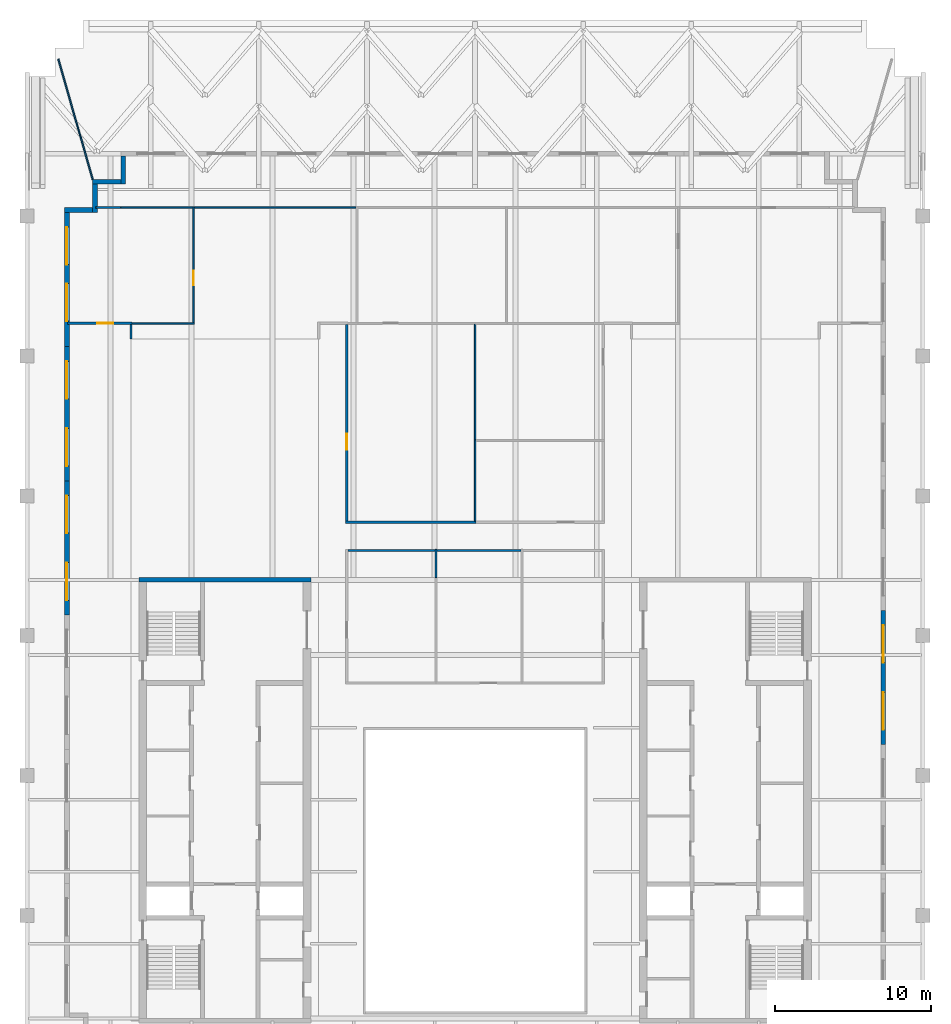
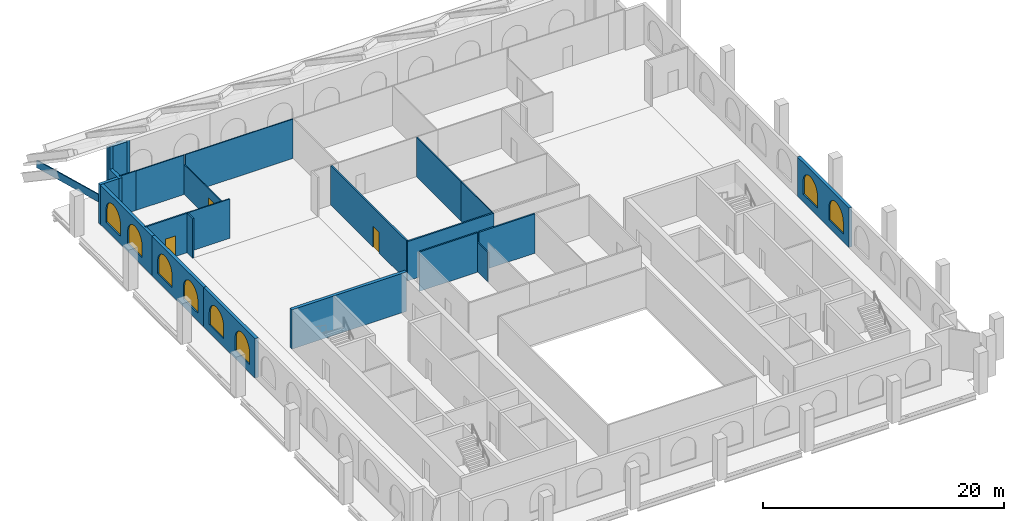
# One storey, part 6 of 10: 24 walls, 8 windows, 3 doors, 11 openings.
"""IFC4 building model written with IfcOpenShell, lengths in metres."""

from ifc_helpers import new_model, si_unit, direction, frame, frame_2d, origin, place, context, subcontext, project, spatial, polyline, rectangle, outline, extrude, material, layer, layer_set, type_object, element, fill, save


model = new_model("IFC4")

# Units and contexts
model_context = context("Model", 3, precision=1e-05, world=origin(), true_north=direction((0.0, 1.0)))
body_context = subcontext(model_context, "Body", "Model", "MODEL_VIEW")
ifc_project = project(units=[si_unit("LENGTHUNIT", "METRE"), si_unit("AREAUNIT", "SQUARE_METRE"), si_unit("VOLUMEUNIT", "CUBIC_METRE"), si_unit("PLANEANGLEUNIT", "RADIAN"), si_unit("MASSUNIT", "GRAM", prefix="KILO")], contexts=[model_context])

# Site, building, storey
site_placement = place(None, origin())
site = spatial("IfcSite", under=ifc_project, at=site_placement, CompositionType="ELEMENT")
building_placement = place(site_placement, origin())
building = spatial("IfcBuilding", under=site, at=building_placement, Name="Ogive Exchange Tower", CompositionType="ELEMENT")
storey_placement = place(building_placement, frame((0.0, 0.0, 369.0)))
storey = spatial("IfcBuildingStorey", under=building, at=storey_placement, Name="C01", CompositionType="ELEMENT", Elevation=369.0)

# Wall, opening, door
ifc_material_1 = material(Name="Fire partition EI 60 150")
ifc_layer_1 = layer(ifc_material_1, 0.14990234375)
ifc_layer_set_1 = layer_set([ifc_layer_1], Name="Fire partition EI 60 150")
wall_type_1 = type_object("IfcWallType", Name="Fire partition EI 60 150", PredefinedType="PARTITIONING", material=ifc_layer_set_1)
wall_1_placement = place(storey_placement, frame((-26.050048828125, 42.0, 0.0), z_axis=(0.0, 0.0, 1.0), x_axis=(1.0, 0.0, 0.0)))
wall_1 = element("IfcWall", 1, at=wall_1_placement, inside=storey, type_object=wall_type_1, Name="C01-PWL-001", PredefinedType="PARTITIONING", context=body_context, shape_type="SweptSolid", body=[
    extrude(rectangle(XDim=4.125, YDim=0.14990234375, at=frame_2d((2.0625, 0.0))), origin(), (0.0, 0.0, 1.0), 4.0),
])
opening_1_placement = place(wall_1_placement, frame((1.89990234375, 0.0, 0.0)))
opening_1 = element("IfcOpeningElement", 2, at=opening_1_placement, cuts=wall_1, Name="Opening C01-I09", PredefinedType="OPENING", context=body_context, shape_type="SweptSolid", body=[
    extrude(rectangle(XDim=1.0, YDim=2.10009765625, at=frame_2d((0.5, 1.050048828125))), frame((0.0, 0.0849609375, 0.0), z_axis=(0.0, -1.0, 0.0), x_axis=(1.0, 0.0, 0.0)), (0.0, 0.0, 1.0), 0.169921875),
])
ifc_material_2 = material(Name="Fire door FD 30S 1000 x 2100")
door_type_1 = type_object("IfcDoorType", Name="Fire door FD 30S 1000 x 2100", OperationType="NOTDEFINED", PredefinedType="DOOR", material=ifc_material_2)
door_1_placement = place(opening_1_placement, origin())
door_1 = element("IfcDoor", 3, at=door_1_placement, inside=storey, type_object=door_type_1, Name="C01-IDR-009", ObjectType="DT3", OperationType="SINGLE_SWING_RIGHT", OverallHeight=2.10009765625, OverallWidth=1.0, PredefinedType="DOOR", context=body_context, shape_type="SweptSolid", body=[
    extrude(rectangle(XDim=1.0, YDim=2.10009765625, at=frame_2d((0.5, 1.050048828125))), frame((0.0, 0.02490234375, 0.0), z_axis=(0.0, -1.0, 0.0), x_axis=(1.0, 0.0, 0.0)), (0.0, 0.0, 1.0), 0.050048828125),
])
fill(opening_1, door_1)

# Walls
wall_2_placement = place(storey_placement, frame((-22.0, 41.925048828125, 0.0), z_axis=(0.0, 0.0, 1.0), x_axis=(0.0, -1.0, 0.0)))
element("IfcWall", 4, at=wall_2_placement, inside=storey, type_object=wall_type_1, Name="C01-PWL-003", PredefinedType="PARTITIONING", context=body_context, shape_type="SweptSolid", body=[
    extrude(rectangle(XDim=0.93505859375, YDim=0.14990234375, at=frame_2d((0.467529296875, 0.0))), origin(), (0.0, 0.0, 1.0), 4.0),
])
wall_3_placement = place(storey_placement, frame((-8.27490234375, 29.280029296875, 0.0), z_axis=(0.0, 0.0, 1.0), x_axis=(1.0, 0.0, 0.0)))
element("IfcWall", 5, at=wall_3_placement, inside=storey, type_object=wall_type_1, Name="C01-PWL-011", PredefinedType="PARTITIONING", context=body_context, shape_type="SweptSolid", body=[
    extrude(rectangle(XDim=8.324951171875, YDim=0.14990234375, at=frame_2d((4.16259765625, 0.0))), origin(), (0.0, 0.0, 1.0), 4.0),
])

# Wall, opening, door
wall_4_placement = place(storey_placement, frame((-8.199951171875, 41.925048828125, 0.0), z_axis=(0.0, 0.0, 1.0), x_axis=(0.0, -1.0, 0.0)))
wall_4 = element("IfcWall", 6, at=wall_4_placement, inside=storey, type_object=wall_type_1, Name="C01-PWL-012", PredefinedType="PARTITIONING", context=body_context, shape_type="SweptSolid", body=[
    extrude(rectangle(XDim=12.570068359375, YDim=0.14990234375, at=frame_2d((6.28515625, 0.0))), origin(), (0.0, 0.0, 1.0), 4.0),
])
opening_2_placement = place(wall_4_placement, frame((6.9951171875, 0.0, 0.0)))
opening_2 = element("IfcOpeningElement", 7, at=opening_2_placement, cuts=wall_4, Name="Opening C01-I02", PredefinedType="OPENING", context=body_context, shape_type="SweptSolid", body=[
    extrude(rectangle(XDim=1.0, YDim=2.10009765625, at=frame_2d((0.5, 1.050048828125))), frame((0.0, 0.0849609375, 0.0), z_axis=(0.0, -1.0, 0.0), x_axis=(1.0, 0.0, 0.0)), (0.0, 0.0, 1.0), 0.169921875),
])
door_2_placement = place(opening_2_placement, origin())
door_2 = element("IfcDoor", 8, at=door_2_placement, inside=storey, type_object=door_type_1, Name="C01-IDR-002", ObjectType="DT3", OperationType="SINGLE_SWING_RIGHT", OverallHeight=2.10009765625, OverallWidth=1.0, PredefinedType="DOOR", context=body_context, shape_type="SweptSolid", body=[
    extrude(rectangle(XDim=1.0, YDim=2.10009765625, at=frame_2d((0.5, 1.050048828125))), frame((0.0, 0.02490234375, 0.0), z_axis=(0.0, -1.0, 0.0), x_axis=(1.0, 0.0, 0.0)), (0.0, 0.0, 1.0), 0.050048828125),
])
fill(opening_2, door_2)

# Walls
wall_5_placement = place(storey_placement, frame((-2.550048828125, 27.47998046875, 0.0), z_axis=(0.0, 0.0, 1.0), x_axis=(-1.0, 0.0, 0.0)))
element("IfcWall", 9, at=wall_5_placement, inside=storey, type_object=wall_type_1, Name="C01-PWL-019", PredefinedType="PARTITIONING", context=body_context, shape_type="SweptSolid", body=[
    extrude(rectangle(XDim=5.574951171875, YDim=0.14990234375, at=frame_2d((2.78759765625, 0.0))), origin(), (0.0, 0.0, 1.0), 4.0),
])
wall_6_placement = place(storey_placement, frame((2.949951171875, 27.47998046875, 0.0), z_axis=(0.0, 0.0, 1.0), x_axis=(-1.0, 0.0, 0.0)))
element("IfcWall", 10, at=wall_6_placement, inside=storey, type_object=wall_type_1, Name="C01-PWL-030", PredefinedType="PARTITIONING", context=body_context, shape_type="SweptSolid", body=[
    extrude(rectangle(XDim=5.39990234375, YDim=0.14990234375, at=frame_2d((2.699951171875, 0.0))), origin(), (0.0, 0.0, 1.0), 4.0),
])
ifc_material_3 = material(Name="Laminated safety glass in steel frame", Category="steel")
ifc_layer_2 = layer(ifc_material_3, 0.10009765625)
ifc_layer_set_2 = layer_set([ifc_layer_2], Name="Loggia end screen 100")
wall_type_2 = type_object("IfcWallType", Name="Loggia end screen 100", PredefinedType="STANDARD", material=ifc_layer_set_2)
wall_7_placement = place(storey_placement, frame((-24.449951171875, 51.199951171875, -0.050048828125), z_axis=(0.0, 0.0, 1.0), x_axis=(-0.274713075766, 0.961526248213, 0.0)))
element("IfcWall", 11, at=wall_7_placement, inside=storey, type_object=wall_type_2, Name="Loggia end screen C3", PredefinedType="STANDARD", context=body_context, shape_type="SweptSolid", body=[
    extrude(rectangle(XDim=8.009033203125, YDim=0.10009765625, at=frame_2d((4.00439453125, 0.0))), origin(), (0.0, 0.0, 1.0), 0.768310546875),
])
ifc_material_4 = material(Name="Partition 100 gypsum")
ifc_layer_3 = layer(ifc_material_4, 0.10009765625)
ifc_layer_set_3 = layer_set([ifc_layer_3], Name="Partition 100 gypsum")
wall_type_3 = type_object("IfcWallType", Name="Partition 100 gypsum", PredefinedType="PARTITIONING", material=ifc_layer_set_3)
wall_8_placement = place(storey_placement, frame((-22.659912109375, 49.409912109375, 0.0), z_axis=(0.0, 0.0, 1.0), x_axis=(-1.0, 0.0, 0.0)))
element("IfcWall", 12, at=wall_8_placement, inside=storey, type_object=wall_type_3, Name="C01-PWL-002", PredefinedType="PARTITIONING", context=body_context, shape_type="SweptSolid", body=[
    extrude(rectangle(XDim=1.590087890625, YDim=0.10009765625, at=frame_2d((0.794921875, 0.0))), origin(), (0.0, 0.0, 1.0), 4.0),
])
wall_9_placement = place(storey_placement, frame((-21.925048828125, 42.0, 0.0), z_axis=(0.0, 0.0, 1.0), x_axis=(1.0, 0.0, 0.0)))
element("IfcWall", 13, at=wall_9_placement, inside=storey, type_object=wall_type_3, Name="C01-PWL-004", PredefinedType="PARTITIONING", context=body_context, shape_type="SweptSolid", body=[
    extrude(rectangle(XDim=3.97509765625, YDim=0.10009765625, at=frame_2d((1.987548828125, 0.0))), origin(), (0.0, 0.0, 1.0), 4.0),
])

# Wall, opening, door
wall_10_placement = place(storey_placement, frame((-18.0, 42.050048828125, 0.0), z_axis=(0.0, 0.0, 1.0), x_axis=(0.0, 1.0, 0.0)))
wall_10 = element("IfcWall", 14, at=wall_10_placement, inside=storey, type_object=wall_type_3, Name="C01-PWL-005", PredefinedType="PARTITIONING", context=body_context, shape_type="SweptSolid", body=[
    extrude(rectangle(XDim=7.39990234375, YDim=0.10009765625, at=frame_2d((3.699951171875, 0.0))), origin(), (0.0, 0.0, 1.0), 3.02001953125),
])
opening_3_placement = place(wall_10_placement, frame((2.39990234375, 0.0, 0.0)))
opening_3 = element("IfcOpeningElement", 15, at=opening_3_placement, cuts=wall_10, Name="Opening C01-I08", PredefinedType="OPENING", context=body_context, shape_type="SweptSolid", body=[
    extrude(rectangle(XDim=0.89990234375, YDim=2.10009765625, at=frame_2d((0.449951171875, 1.050048828125))), frame((0.0, 0.06005859375, 0.0), z_axis=(0.0, -1.0, 0.0), x_axis=(1.0, 0.0, 0.0)), (0.0, 0.0, 1.0), 0.1201171875),
])
ifc_material_5 = material(Name="Door 900 x 2100")
door_type_2 = type_object("IfcDoorType", Name="Door 900 x 2100", OperationType="NOTDEFINED", PredefinedType="DOOR", material=ifc_material_5)
door_3_placement = place(opening_3_placement, origin())
door_3 = element("IfcDoor", 16, at=door_3_placement, inside=storey, type_object=door_type_2, Name="C01-IDR-008", ObjectType="DT1", OperationType="SINGLE_SWING_RIGHT", OverallHeight=2.10009765625, OverallWidth=0.89990234375, PredefinedType="DOOR", context=body_context, shape_type="SweptSolid", body=[
    extrude(rectangle(XDim=0.89990234375, YDim=2.10009765625, at=frame_2d((0.449951171875, 1.050048828125))), frame((0.0, 0.02490234375, 0.0), z_axis=(0.0, -1.0, 0.0), x_axis=(1.0, 0.0, 0.0)), (0.0, 0.0, 1.0), 0.050048828125),
])
fill(opening_3, door_3)

# Walls
wall_11_placement = place(storey_placement, frame((-18.050048828125, 49.39990234375, 0.0), z_axis=(0.0, 0.0, 1.0), x_axis=(-1.0, 0.0, 0.0)))
element("IfcWall", 17, at=wall_11_placement, inside=storey, type_object=wall_type_3, Name="C01-PWL-006", PredefinedType="PARTITIONING", context=body_context, shape_type="SweptSolid", body=[
    extrude(rectangle(XDim=4.60986328125, YDim=0.10009765625, at=frame_2d((2.304931640625, 0.0))), origin(), (0.0, 0.0, 1.0), 4.0),
])
wall_12_placement = place(storey_placement, frame((-7.60009765625, 49.39990234375, 0.0), z_axis=(0.0, 0.0, 1.0), x_axis=(-1.0, 0.0, 0.0)))
element("IfcWall", 18, at=wall_12_placement, inside=storey, type_object=wall_type_3, Name="C01-PWL-016", PredefinedType="PARTITIONING", context=body_context, shape_type="SweptSolid", body=[
    extrude(rectangle(XDim=10.349853515625, YDim=0.10009765625, at=frame_2d((5.1748046875, 0.0))), origin(), (0.0, 0.0, 1.0), 4.0),
])
wall_13_placement = place(storey_placement, frame((0.0, 34.550048828125, 0.0), z_axis=(0.0, 0.0, 1.0), x_axis=(0.0, -1.0, 0.0)))
element("IfcWall", 19, at=wall_13_placement, inside=storey, type_object=wall_type_3, Name="C01-PWL-021", PredefinedType="PARTITIONING", context=body_context, shape_type="SweptSolid", body=[
    extrude(rectangle(XDim=5.195068359375, YDim=0.10009765625, at=frame_2d((2.59765625, 0.0))), origin(), (0.0, 0.0, 1.0), 4.0),
])
wall_14_placement = place(storey_placement, frame((0.0, 41.949951171875, 0.0), z_axis=(0.0, 0.0, 1.0), x_axis=(0.0, -1.0, 0.0)))
element("IfcWall", 20, at=wall_14_placement, inside=storey, type_object=wall_type_3, Name="C01-PWL-023", PredefinedType="PARTITIONING", context=body_context, shape_type="SweptSolid", body=[
    extrude(rectangle(XDim=7.449951171875, YDim=0.10009765625, at=frame_2d((3.72509765625, 0.0))), origin(), (0.0, 0.0, 1.0), 4.0),
])
wall_15_placement = place(storey_placement, frame((-2.5, 25.7451171875, 0.0), z_axis=(0.0, 0.0, 1.0), x_axis=(0.0, 1.0, 0.0)))
element("IfcWall", 21, at=wall_15_placement, inside=storey, type_object=wall_type_3, Name="C01-PWL-017", PredefinedType="PARTITIONING", context=body_context, shape_type="SweptSolid", body=[
    extrude(rectangle(XDim=1.809814453125, YDim=0.10009765625, at=frame_2d((0.90478515625, 0.0))), origin(), (0.0, 0.0, 1.0), 3.02001953125),
])
ifc_material_6 = material(Name="Concrete C70/85", Category="concrete")
ifc_layer_4 = layer(ifc_material_6, 0.300048828125)
ifc_layer_set_4 = layer_set([ifc_layer_4], Name="RC core wall 300 C70/85")
wall_type_4 = type_object("IfcWallType", Name="RC core wall 300 C70/85", PredefinedType="SHEAR", material=ifc_layer_set_4)
wall_16_placement = place(storey_placement, frame((-21.5, 25.60009765625, 0.0), z_axis=(0.0, 0.0, 1.0), x_axis=(1.0, 0.0, 0.0)))
element("IfcWall", 22, at=wall_16_placement, inside=storey, type_object=wall_type_4, Name="W north end wall", PredefinedType="SHEAR", context=body_context, shape_type="SweptSolid", body=[
    extrude(rectangle(XDim=11.0, YDim=0.300048828125, at=frame_2d((5.5, 0.0))), origin(), (0.0, 0.0, 1.0), 4.0),
])

# Wall, openings, windows
ifc_material_7 = material(Name="Precast concrete C40/50", Category="concrete")
ifc_layer_5 = layer(ifc_material_7, 0.300048828125)
ifc_layer_set_5 = layer_set([ifc_layer_5], Name="Zinc-clad crown wall 300")
wall_type_5 = type_object("IfcWallType", Name="Zinc-clad crown wall 300", PredefinedType="STANDARD", material=ifc_layer_set_5)
wall_17_placement = place(storey_placement, frame((26.10009765625, 15.066650390625, 0.0), z_axis=(0.0, 0.0, 1.0), x_axis=(0.0, 1.0, 0.0)))
wall_17 = element("IfcWall", 23, at=wall_17_placement, inside=storey, type_object=wall_type_5, Name="Crown wall 15", PredefinedType="STANDARD", context=body_context, shape_type="SweptSolid", body=[
    extrude(rectangle(XDim=8.583251953125, YDim=0.300048828125, at=frame_2d((4.29150390625, 0.0))), origin(), (0.0, 0.0, 1.0), 4.0),
])
opening_4_placement = place(wall_17_placement, frame((0.94580078125, 0.0, 0.800048828125)))
opening_4 = element("IfcOpeningElement", 24, at=opening_4_placement, cuts=wall_17, Name="Opening WC25", PredefinedType="OPENING", context=body_context, shape_type="SweptSolid", body=[
    extrude(outline(polyline([(0.0, 0.0), (2.39990234375, 0.0), (2.39990234375, 1.25), (2.377197265625, 1.48779296875), (2.3095703125, 1.717041015625), (2.19970703125, 1.928955078125), (2.05126953125, 2.116455078125), (1.8701171875, 2.272216796875), (1.662841796875, 2.390625), (1.4365234375, 2.467529296875), (1.199951171875, 2.5), (0.96337890625, 2.467529296875), (0.737060546875, 2.390625), (0.52978515625, 2.272216796875), (0.3486328125, 2.116455078125), (0.2001953125, 1.928955078125), (0.09033203125, 1.717041015625), (0.022705078125, 1.48779296875), (0.0, 1.25), (0.0, 0.0)])), frame((0.0, 0.159912109375, 0.0), z_axis=(0.0, -1.0, 0.0), x_axis=(1.0, 0.0, 0.0)), (0.0, 0.0, 1.0), 0.320068359375),
])
opening_5_placement = place(wall_17_placement, frame((5.237548828125, 0.0, 0.800048828125)))
opening_5 = element("IfcOpeningElement", 25, at=opening_5_placement, cuts=wall_17, Name="Opening WC25", PredefinedType="OPENING", context=body_context, shape_type="SweptSolid", body=[
    extrude(outline(polyline([(0.0, 0.0), (2.39990234375, 0.0), (2.39990234375, 1.25), (2.377197265625, 1.48779296875), (2.3095703125, 1.717041015625), (2.19970703125, 1.928955078125), (2.05126953125, 2.116455078125), (1.8701171875, 2.272216796875), (1.662841796875, 2.390625), (1.4365234375, 2.467529296875), (1.199951171875, 2.5), (0.96337890625, 2.467529296875), (0.737060546875, 2.390625), (0.52978515625, 2.272216796875), (0.3486328125, 2.116455078125), (0.2001953125, 1.928955078125), (0.09033203125, 1.717041015625), (0.022705078125, 1.48779296875), (0.0, 1.25), (0.0, 0.0)])), frame((0.0, 0.159912109375, 0.0), z_axis=(0.0, -1.0, 0.0), x_axis=(1.0, 0.0, 0.0)), (0.0, 0.0, 1.0), 0.320068359375),
])
ifc_material_8 = material(Name="Clear glass in bronze frame", Category="glass")
window_type = type_object("IfcWindowType", Name="Crown lancet window 2400 x 2500", PartitioningType="DOUBLE_PANEL_VERTICAL", PredefinedType="WINDOW", material=ifc_material_8)
window_1_placement = place(opening_4_placement, origin())
window_1 = element("IfcWindow", 26, at=window_1_placement, inside=storey, type_object=window_type, Name="Crown lancet 15.1", OverallHeight=2.5, OverallWidth=2.39990234375, PartitioningType="DOUBLE_PANEL_VERTICAL", PredefinedType="WINDOW", context=body_context, shape_type="SweptSolid", body=[
    extrude(outline(polyline([(0.0, 0.0), (2.39990234375, 0.0), (2.39990234375, 1.25), (2.377197265625, 1.48779296875), (2.3095703125, 1.717041015625), (2.19970703125, 1.928955078125), (2.05126953125, 2.116455078125), (1.8701171875, 2.272216796875), (1.662841796875, 2.390625), (1.4365234375, 2.467529296875), (1.199951171875, 2.5), (0.96337890625, 2.467529296875), (0.737060546875, 2.390625), (0.52978515625, 2.272216796875), (0.3486328125, 2.116455078125), (0.2001953125, 1.928955078125), (0.09033203125, 1.717041015625), (0.022705078125, 1.48779296875), (0.0, 1.25), (0.0, 0.0)])), frame((0.0, 0.030029296875, 0.0), z_axis=(0.0, -1.0, 0.0), x_axis=(1.0, 0.0, 0.0)), (0.0, 0.0, 1.0), 0.06005859375),
])
fill(opening_4, window_1)
window_2_placement = place(opening_5_placement, origin())
window_2 = element("IfcWindow", 27, at=window_2_placement, inside=storey, type_object=window_type, Name="Crown lancet 15.2", OverallHeight=2.5, OverallWidth=2.39990234375, PartitioningType="DOUBLE_PANEL_VERTICAL", PredefinedType="WINDOW", context=body_context, shape_type="SweptSolid", body=[
    extrude(outline(polyline([(0.0, 0.0), (2.39990234375, 0.0), (2.39990234375, 1.25), (2.377197265625, 1.48779296875), (2.3095703125, 1.717041015625), (2.19970703125, 1.928955078125), (2.05126953125, 2.116455078125), (1.8701171875, 2.272216796875), (1.662841796875, 2.390625), (1.4365234375, 2.467529296875), (1.199951171875, 2.5), (0.96337890625, 2.467529296875), (0.737060546875, 2.390625), (0.52978515625, 2.272216796875), (0.3486328125, 2.116455078125), (0.2001953125, 1.928955078125), (0.09033203125, 1.717041015625), (0.022705078125, 1.48779296875), (0.0, 1.25), (0.0, 0.0)])), frame((0.0, 0.030029296875, 0.0), z_axis=(0.0, -1.0, 0.0), x_axis=(1.0, 0.0, 0.0)), (0.0, 0.0, 1.0), 0.06005859375),
])
fill(opening_5, window_2)

# Walls
wall_18_placement = place(storey_placement, frame((-22.5, 52.699951171875, 0.0), z_axis=(0.0, 0.0, 1.0), x_axis=(0.0, -1.0, 0.0)))
element("IfcWall", 28, at=wall_18_placement, inside=storey, type_object=wall_type_5, Name="Crown wall 28", PredefinedType="STANDARD", context=body_context, shape_type="SweptSolid", body=[
    extrude(outline(polyline([(0.0, 0.0), (1.800048828125, 0.0), (1.800048828125, 6.114990234375), (0.0, 4.90087890625), (0.0, 0.0)])), frame((0.0, 0.14990234375, 0.0), z_axis=(0.0, -1.0, 0.0), x_axis=(1.0, 0.0, 0.0)), (0.0, 0.0, 1.0), 0.300048828125),
])
wall_19_placement = place(storey_placement, frame((-22.64990234375, 51.050048828125, 0.0), z_axis=(0.0, 0.0, 1.0), x_axis=(-1.0, 0.0, 0.0)))
element("IfcWall", 29, at=wall_19_placement, inside=storey, type_object=wall_type_5, Name="Crown wall 29", PredefinedType="STANDARD", context=body_context, shape_type="SweptSolid", body=[
    extrude(rectangle(XDim=1.800048828125, YDim=0.300048828125, at=frame_2d((0.89990234375, 0.0))), origin(), (0.0, 0.0, 1.0), 6.013671875),
])
wall_20_placement = place(storey_placement, frame((-24.300048828125, 50.89990234375, 0.0), z_axis=(0.0, 0.0, 1.0), x_axis=(0.0, -1.0, 0.0)))
element("IfcWall", 30, at=wall_20_placement, inside=storey, type_object=wall_type_5, Name="Crown wall 30", PredefinedType="STANDARD", context=body_context, shape_type="SweptSolid", body=[
    extrude(outline(polyline([(0.0, 0.0), (1.7998046875, 0.0), (1.800048828125, 4.0), (0.272216796875, 4.0), (0.272216796875, 6.2978515625), (0.0, 6.114990234375), (0.0, 0.0)])), frame((0.0, 0.14990234375, 0.0), z_axis=(0.0, -1.0, 0.0), x_axis=(1.0, 0.0, 0.0)), (0.0, 0.0, 1.0), 0.300048828125),
])
wall_21_placement = place(storey_placement, frame((-24.449951171875, 49.25, 0.0), z_axis=(0.0, 0.0, 1.0), x_axis=(-1.0, 0.0, 0.0)))
element("IfcWall", 31, at=wall_21_placement, inside=storey, type_object=wall_type_5, Name="Crown wall 31", PredefinedType="STANDARD", context=body_context, shape_type="SweptSolid", body=[
    extrude(rectangle(XDim=1.800048828125, YDim=0.300048828125, at=frame_2d((0.89990234375, 0.0))), origin(), (0.0, 0.0, 1.0), 4.0),
])

# Wall, openings, windows
wall_22_placement = place(storey_placement, frame((-26.10009765625, 49.10009765625, 0.0), z_axis=(0.0, 0.0, 1.0), x_axis=(0.0, -1.0, 0.0)))
wall_22 = element("IfcWall", 32, at=wall_22_placement, inside=storey, type_object=wall_type_5, Name="Crown wall 32", PredefinedType="STANDARD", context=body_context, shape_type="SweptSolid", body=[
    extrude(rectangle(XDim=8.58349609375, YDim=0.300048828125, at=frame_2d((4.291748046875, 0.0))), origin(), (0.0, 0.0, 1.0), 4.0),
])
opening_6_placement = place(wall_22_placement, frame((0.94580078125, 0.0, 0.800048828125)))
opening_6 = element("IfcOpeningElement", 33, at=opening_6_placement, cuts=wall_22, Name="Opening WC25", PredefinedType="OPENING", context=body_context, shape_type="SweptSolid", body=[
    extrude(outline(polyline([(0.0, 0.0), (2.39990234375, 0.0), (2.39990234375, 1.25), (2.377197265625, 1.48779296875), (2.3095703125, 1.717041015625), (2.19970703125, 1.928955078125), (2.05126953125, 2.116455078125), (1.8701171875, 2.272216796875), (1.662841796875, 2.390625), (1.4365234375, 2.467529296875), (1.199951171875, 2.5), (0.96337890625, 2.467529296875), (0.737060546875, 2.390625), (0.52978515625, 2.272216796875), (0.3486328125, 2.116455078125), (0.2001953125, 1.928955078125), (0.09033203125, 1.717041015625), (0.022705078125, 1.48779296875), (0.0, 1.25), (0.0, 0.0)])), frame((0.0, 0.159912109375, 0.0), z_axis=(0.0, -1.0, 0.0), x_axis=(1.0, 0.0, 0.0)), (0.0, 0.0, 1.0), 0.320068359375),
])
opening_7_placement = place(wall_22_placement, frame((4.550048828125, 0.0, 0.800048828125)))
opening_7 = element("IfcOpeningElement", 34, at=opening_7_placement, cuts=wall_22, Name="Opening WC25", PredefinedType="OPENING", context=body_context, shape_type="SweptSolid", body=[
    extrude(outline(polyline([(0.0, 0.0), (2.39990234375, 0.0), (2.39990234375, 1.25), (2.377197265625, 1.48779296875), (2.3095703125, 1.717041015625), (2.19970703125, 1.928955078125), (2.05126953125, 2.116455078125), (1.8701171875, 2.272216796875), (1.662841796875, 2.390625), (1.4365234375, 2.467529296875), (1.199951171875, 2.5), (0.96337890625, 2.467529296875), (0.737060546875, 2.390625), (0.52978515625, 2.272216796875), (0.3486328125, 2.116455078125), (0.2001953125, 1.928955078125), (0.09033203125, 1.717041015625), (0.022705078125, 1.48779296875), (0.0, 1.25), (0.0, 0.0)])), frame((0.0, 0.159912109375, 0.0), z_axis=(0.0, -1.0, 0.0), x_axis=(1.0, 0.0, 0.0)), (0.0, 0.0, 1.0), 0.320068359375),
])
window_3_placement = place(opening_6_placement, origin())
window_3 = element("IfcWindow", 35, at=window_3_placement, inside=storey, type_object=window_type, Name="Crown lancet 32.1", OverallHeight=2.5, OverallWidth=2.39990234375, PartitioningType="DOUBLE_PANEL_VERTICAL", PredefinedType="WINDOW", context=body_context, shape_type="SweptSolid", body=[
    extrude(outline(polyline([(0.0, 0.0), (2.39990234375, 0.0), (2.39990234375, 1.25), (2.377197265625, 1.48779296875), (2.3095703125, 1.717041015625), (2.19970703125, 1.928955078125), (2.05126953125, 2.116455078125), (1.8701171875, 2.272216796875), (1.662841796875, 2.390625), (1.4365234375, 2.467529296875), (1.199951171875, 2.5), (0.96337890625, 2.467529296875), (0.737060546875, 2.390625), (0.52978515625, 2.272216796875), (0.3486328125, 2.116455078125), (0.2001953125, 1.928955078125), (0.09033203125, 1.717041015625), (0.022705078125, 1.48779296875), (0.0, 1.25), (0.0, 0.0)])), frame((0.0, 0.030029296875, 0.0), z_axis=(0.0, -1.0, 0.0), x_axis=(1.0, 0.0, 0.0)), (0.0, 0.0, 1.0), 0.06005859375),
])
fill(opening_6, window_3)
window_4_placement = place(opening_7_placement, origin())
window_4 = element("IfcWindow", 36, at=window_4_placement, inside=storey, type_object=window_type, Name="Crown lancet 32.2", OverallHeight=2.5, OverallWidth=2.39990234375, PartitioningType="DOUBLE_PANEL_VERTICAL", PredefinedType="WINDOW", context=body_context, shape_type="SweptSolid", body=[
    extrude(outline(polyline([(0.0, 0.0), (2.39990234375, 0.0), (2.39990234375, 1.25), (2.377197265625, 1.48779296875), (2.3095703125, 1.717041015625), (2.19970703125, 1.928955078125), (2.05126953125, 2.116455078125), (1.8701171875, 2.272216796875), (1.662841796875, 2.390625), (1.4365234375, 2.467529296875), (1.199951171875, 2.5), (0.96337890625, 2.467529296875), (0.737060546875, 2.390625), (0.52978515625, 2.272216796875), (0.3486328125, 2.116455078125), (0.2001953125, 1.928955078125), (0.09033203125, 1.717041015625), (0.022705078125, 1.48779296875), (0.0, 1.25), (0.0, 0.0)])), frame((0.0, 0.030029296875, 0.0), z_axis=(0.0, -1.0, 0.0), x_axis=(1.0, 0.0, 0.0)), (0.0, 0.0, 1.0), 0.06005859375),
])
fill(opening_7, window_4)

wall_23_placement = place(storey_placement, frame((-26.10009765625, 40.5166015625, 0.0), z_axis=(0.0, 0.0, 1.0), x_axis=(0.0, -1.0, 0.0)))
wall_23 = element("IfcWall", 37, at=wall_23_placement, inside=storey, type_object=wall_type_5, Name="Crown wall 33", PredefinedType="STANDARD", context=body_context, shape_type="SweptSolid", body=[
    extrude(rectangle(XDim=8.583251953125, YDim=0.300048828125, at=frame_2d((4.29150390625, 0.0))), origin(), (0.0, 0.0, 1.0), 4.0),
])
opening_8_placement = place(wall_23_placement, frame((0.94580078125, 0.0, 0.800048828125)))
opening_8 = element("IfcOpeningElement", 38, at=opening_8_placement, cuts=wall_23, Name="Opening WC25", PredefinedType="OPENING", context=body_context, shape_type="SweptSolid", body=[
    extrude(outline(polyline([(0.0, 0.0), (2.39990234375, 0.0), (2.39990234375, 1.25), (2.377197265625, 1.48779296875), (2.3095703125, 1.717041015625), (2.19970703125, 1.928955078125), (2.05126953125, 2.116455078125), (1.8701171875, 2.272216796875), (1.662841796875, 2.390625), (1.4365234375, 2.467529296875), (1.199951171875, 2.5), (0.96337890625, 2.467529296875), (0.737060546875, 2.390625), (0.52978515625, 2.272216796875), (0.3486328125, 2.116455078125), (0.2001953125, 1.928955078125), (0.09033203125, 1.717041015625), (0.022705078125, 1.48779296875), (0.0, 1.25), (0.0, 0.0)])), frame((0.0, 0.159912109375, 0.0), z_axis=(0.0, -1.0, 0.0), x_axis=(1.0, 0.0, 0.0)), (0.0, 0.0, 1.0), 0.320068359375),
])
opening_9_placement = place(wall_23_placement, frame((5.237548828125, 0.0, 0.800048828125)))
opening_9 = element("IfcOpeningElement", 39, at=opening_9_placement, cuts=wall_23, Name="Opening WC25", PredefinedType="OPENING", context=body_context, shape_type="SweptSolid", body=[
    extrude(outline(polyline([(0.0, 0.0), (2.39990234375, 0.0), (2.39990234375, 1.25), (2.377197265625, 1.48779296875), (2.3095703125, 1.717041015625), (2.19970703125, 1.928955078125), (2.05126953125, 2.116455078125), (1.8701171875, 2.272216796875), (1.662841796875, 2.390625), (1.4365234375, 2.467529296875), (1.199951171875, 2.5), (0.96337890625, 2.467529296875), (0.737060546875, 2.390625), (0.52978515625, 2.272216796875), (0.3486328125, 2.116455078125), (0.2001953125, 1.928955078125), (0.09033203125, 1.717041015625), (0.022705078125, 1.48779296875), (0.0, 1.25), (0.0, 0.0)])), frame((0.0, 0.159912109375, 0.0), z_axis=(0.0, -1.0, 0.0), x_axis=(1.0, 0.0, 0.0)), (0.0, 0.0, 1.0), 0.320068359375),
])
window_5_placement = place(opening_8_placement, origin())
window_5 = element("IfcWindow", 40, at=window_5_placement, inside=storey, type_object=window_type, Name="Crown lancet 33.1", OverallHeight=2.5, OverallWidth=2.39990234375, PartitioningType="DOUBLE_PANEL_VERTICAL", PredefinedType="WINDOW", context=body_context, shape_type="SweptSolid", body=[
    extrude(outline(polyline([(0.0, 0.0), (2.39990234375, 0.0), (2.39990234375, 1.25), (2.377197265625, 1.48779296875), (2.3095703125, 1.717041015625), (2.19970703125, 1.928955078125), (2.05126953125, 2.116455078125), (1.8701171875, 2.272216796875), (1.662841796875, 2.390625), (1.4365234375, 2.467529296875), (1.199951171875, 2.5), (0.96337890625, 2.467529296875), (0.737060546875, 2.390625), (0.52978515625, 2.272216796875), (0.3486328125, 2.116455078125), (0.2001953125, 1.928955078125), (0.09033203125, 1.717041015625), (0.022705078125, 1.48779296875), (0.0, 1.25), (0.0, 0.0)])), frame((0.0, 0.030029296875, 0.0), z_axis=(0.0, -1.0, 0.0), x_axis=(1.0, 0.0, 0.0)), (0.0, 0.0, 1.0), 0.06005859375),
])
fill(opening_8, window_5)
window_6_placement = place(opening_9_placement, origin())
window_6 = element("IfcWindow", 41, at=window_6_placement, inside=storey, type_object=window_type, Name="Crown lancet 33.2", OverallHeight=2.5, OverallWidth=2.39990234375, PartitioningType="DOUBLE_PANEL_VERTICAL", PredefinedType="WINDOW", context=body_context, shape_type="SweptSolid", body=[
    extrude(outline(polyline([(0.0, 0.0), (2.39990234375, 0.0), (2.39990234375, 1.25), (2.377197265625, 1.48779296875), (2.3095703125, 1.717041015625), (2.19970703125, 1.928955078125), (2.05126953125, 2.116455078125), (1.8701171875, 2.272216796875), (1.662841796875, 2.390625), (1.4365234375, 2.467529296875), (1.199951171875, 2.5), (0.96337890625, 2.467529296875), (0.737060546875, 2.390625), (0.52978515625, 2.272216796875), (0.3486328125, 2.116455078125), (0.2001953125, 1.928955078125), (0.09033203125, 1.717041015625), (0.022705078125, 1.48779296875), (0.0, 1.25), (0.0, 0.0)])), frame((0.0, 0.030029296875, 0.0), z_axis=(0.0, -1.0, 0.0), x_axis=(1.0, 0.0, 0.0)), (0.0, 0.0, 1.0), 0.06005859375),
])
fill(opening_9, window_6)

wall_24_placement = place(storey_placement, frame((-26.10009765625, 31.933349609375, 0.0), z_axis=(0.0, 0.0, 1.0), x_axis=(0.0, -1.0, 0.0)))
wall_24 = element("IfcWall", 42, at=wall_24_placement, inside=storey, type_object=wall_type_5, Name="Crown wall 34", PredefinedType="STANDARD", context=body_context, shape_type="SweptSolid", body=[
    extrude(rectangle(XDim=8.583251953125, YDim=0.300048828125, at=frame_2d((4.29150390625, 0.0))), origin(), (0.0, 0.0, 1.0), 4.0),
])
opening_10_placement = place(wall_24_placement, frame((0.94580078125, 0.0, 0.800048828125)))
opening_10 = element("IfcOpeningElement", 43, at=opening_10_placement, cuts=wall_24, Name="Opening WC25", PredefinedType="OPENING", context=body_context, shape_type="SweptSolid", body=[
    extrude(outline(polyline([(0.0, 0.0), (2.39990234375, 0.0), (2.39990234375, 1.25), (2.377197265625, 1.48779296875), (2.3095703125, 1.717041015625), (2.19970703125, 1.928955078125), (2.05126953125, 2.116455078125), (1.8701171875, 2.272216796875), (1.662841796875, 2.390625), (1.4365234375, 2.467529296875), (1.199951171875, 2.5), (0.96337890625, 2.467529296875), (0.737060546875, 2.390625), (0.52978515625, 2.272216796875), (0.3486328125, 2.116455078125), (0.2001953125, 1.928955078125), (0.09033203125, 1.717041015625), (0.022705078125, 1.48779296875), (0.0, 1.25), (0.0, 0.0)])), frame((0.0, 0.159912109375, 0.0), z_axis=(0.0, -1.0, 0.0), x_axis=(1.0, 0.0, 0.0)), (0.0, 0.0, 1.0), 0.320068359375),
])
opening_11_placement = place(wall_24_placement, frame((5.237548828125, 0.0, 0.800048828125)))
opening_11 = element("IfcOpeningElement", 44, at=opening_11_placement, cuts=wall_24, Name="Opening WC25", PredefinedType="OPENING", context=body_context, shape_type="SweptSolid", body=[
    extrude(outline(polyline([(0.0, 0.0), (2.39990234375, 0.0), (2.39990234375, 1.25), (2.377197265625, 1.48779296875), (2.3095703125, 1.717041015625), (2.19970703125, 1.928955078125), (2.05126953125, 2.116455078125), (1.8701171875, 2.272216796875), (1.662841796875, 2.390625), (1.4365234375, 2.467529296875), (1.199951171875, 2.5), (0.96337890625, 2.467529296875), (0.737060546875, 2.390625), (0.52978515625, 2.272216796875), (0.3486328125, 2.116455078125), (0.2001953125, 1.928955078125), (0.09033203125, 1.717041015625), (0.022705078125, 1.48779296875), (0.0, 1.25), (0.0, 0.0)])), frame((0.0, 0.159912109375, 0.0), z_axis=(0.0, -1.0, 0.0), x_axis=(1.0, 0.0, 0.0)), (0.0, 0.0, 1.0), 0.320068359375),
])
window_7_placement = place(opening_10_placement, origin())
window_7 = element("IfcWindow", 45, at=window_7_placement, inside=storey, type_object=window_type, Name="Crown lancet 34.1", OverallHeight=2.5, OverallWidth=2.39990234375, PartitioningType="DOUBLE_PANEL_VERTICAL", PredefinedType="WINDOW", context=body_context, shape_type="SweptSolid", body=[
    extrude(outline(polyline([(0.0, 0.0), (2.39990234375, 0.0), (2.39990234375, 1.25), (2.377197265625, 1.48779296875), (2.3095703125, 1.717041015625), (2.19970703125, 1.928955078125), (2.05126953125, 2.116455078125), (1.8701171875, 2.272216796875), (1.662841796875, 2.390625), (1.4365234375, 2.467529296875), (1.199951171875, 2.5), (0.96337890625, 2.467529296875), (0.737060546875, 2.390625), (0.52978515625, 2.272216796875), (0.3486328125, 2.116455078125), (0.2001953125, 1.928955078125), (0.09033203125, 1.717041015625), (0.022705078125, 1.48779296875), (0.0, 1.25), (0.0, 0.0)])), frame((0.0, 0.030029296875, 0.0), z_axis=(0.0, -1.0, 0.0), x_axis=(1.0, 0.0, 0.0)), (0.0, 0.0, 1.0), 0.06005859375),
])
fill(opening_10, window_7)
window_8_placement = place(opening_11_placement, origin())
window_8 = element("IfcWindow", 46, at=window_8_placement, inside=storey, type_object=window_type, Name="Crown lancet 34.2", OverallHeight=2.5, OverallWidth=2.39990234375, PartitioningType="DOUBLE_PANEL_VERTICAL", PredefinedType="WINDOW", context=body_context, shape_type="SweptSolid", body=[
    extrude(outline(polyline([(0.0, 0.0), (2.39990234375, 0.0), (2.39990234375, 1.25), (2.377197265625, 1.48779296875), (2.3095703125, 1.717041015625), (2.19970703125, 1.928955078125), (2.05126953125, 2.116455078125), (1.8701171875, 2.272216796875), (1.662841796875, 2.390625), (1.4365234375, 2.467529296875), (1.199951171875, 2.5), (0.96337890625, 2.467529296875), (0.737060546875, 2.390625), (0.52978515625, 2.272216796875), (0.3486328125, 2.116455078125), (0.2001953125, 1.928955078125), (0.09033203125, 1.717041015625), (0.022705078125, 1.48779296875), (0.0, 1.25), (0.0, 0.0)])), frame((0.0, 0.030029296875, 0.0), z_axis=(0.0, -1.0, 0.0), x_axis=(1.0, 0.0, 0.0)), (0.0, 0.0, 1.0), 0.06005859375),
])
fill(opening_11, window_8)

save(model, "model.ifc")
